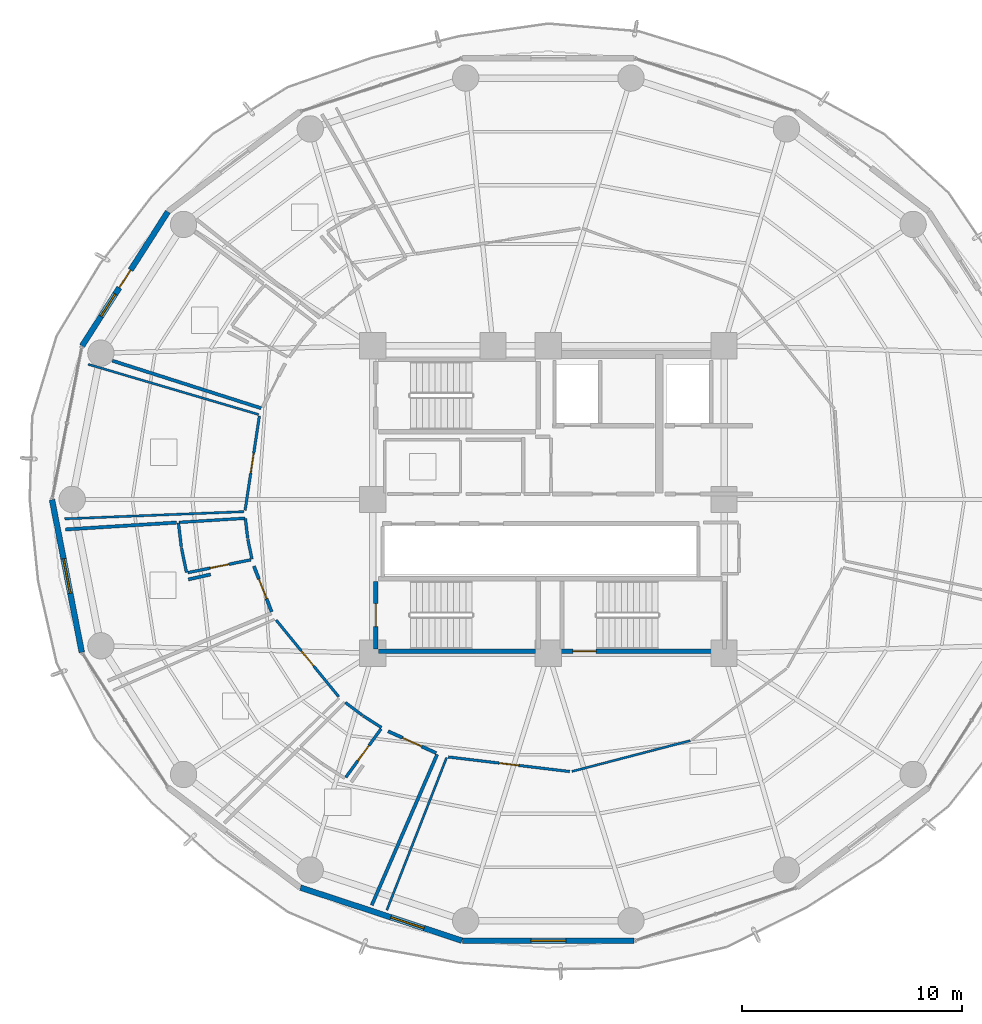
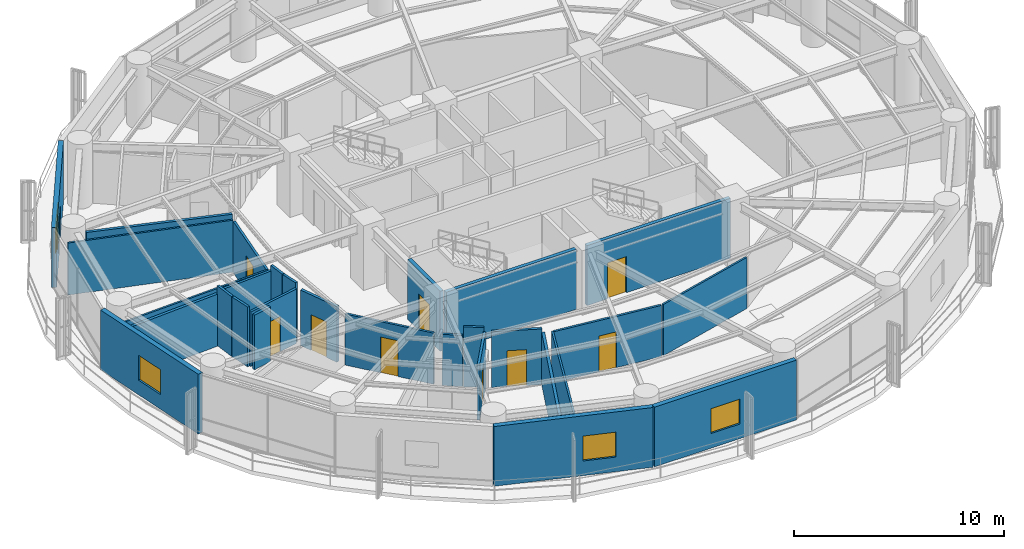
# One storey, part 21 of 27: 29 walls, 10 doors, 4 windows, 14 openings.
"""IFC4 building model written with IfcOpenShell, lengths in metres."""

from ifc_helpers import new_model, si_unit, direction, frame, frame_2d, origin, place, context, subcontext, project, spatial, rectangle, extrude, material, layer, layer_set, type_object, element, fill, save


model = new_model("IFC4")

# Units and contexts
model_context = context("Model", 3, precision=1e-05, world=origin(), true_north=direction((0.0, 1.0)))
body_context = subcontext(model_context, "Body", "Model", "MODEL_VIEW")
ifc_project = project(units=[si_unit("LENGTHUNIT", "METRE"), si_unit("AREAUNIT", "SQUARE_METRE"), si_unit("VOLUMEUNIT", "CUBIC_METRE"), si_unit("PLANEANGLEUNIT", "RADIAN"), si_unit("MASSUNIT", "GRAM", prefix="KILO")], contexts=[model_context])

# Site, building, storey
site_placement = place(None, origin())
site = spatial("IfcSite", under=ifc_project, at=site_placement, CompositionType="ELEMENT")
building_placement = place(site_placement, origin())
building = spatial("IfcBuilding", under=site, at=building_placement, Name="Kelanora Arch Commons", CompositionType="ELEMENT")
storey_placement = place(building_placement, frame((0.0, 0.0, 150.60009765625)))
storey = spatial("IfcBuildingStorey", under=building, at=storey_placement, Name="L38", CompositionType="ELEMENT", Elevation=150.60009765625)

# Wall, opening, door
ifc_material_1 = material(Name="Autoclaved aerated concrete blockwork with fire plaster", Category="masonry")
ifc_layer_1 = layer(ifc_material_1, 0.14990234375)
ifc_layer_set_1 = layer_set([ifc_layer_1], Name="Autoclaved aerated concrete blockwork with fire plaster")
wall_type_1 = type_object("IfcWallType", Name="W-COMP-150", PredefinedType="PARTITIONING", material=ifc_layer_set_1)
wall_1_placement = place(storey_placement, frame((60.5947265625, 54.964111328125, 0.0), z_axis=(0.0, 0.0, 1.0), x_axis=(0.361769005858, -0.932267765398, 0.0)))
wall_1 = element("IfcWall", 1, at=wall_1_placement, inside=storey, type_object=wall_type_1, Name="Co-Living Studio L38-04 Entry Partition", PredefinedType="PARTITIONING", context=body_context, shape_type="SweptSolid", body=[
    extrude(rectangle(XDim=2.22705078125, YDim=0.14990234375, at=frame_2d((1.113525390625, 0.0))), origin(), (0.0, 0.0, 1.0), 3.23486328125),
])
opening_1_placement = place(wall_1_placement, frame((0.638916015625, 0.0, 0.0)))
opening_1 = element("IfcOpeningElement", 2, at=opening_1_placement, cuts=wall_1, Name="Opening D-CLU1", PredefinedType="OPENING", context=body_context, shape_type="SweptSolid", body=[
    extrude(rectangle(XDim=0.949951171875, YDim=2.080078125, at=frame_2d((0.47509765625, 1.0400390625))), frame((0.0, 0.0849609375, 0.0), z_axis=(0.0, -1.0, 0.0), x_axis=(1.0, 0.0, 0.0)), (0.0, 0.0, 1.0), 0.169921875),
])
ifc_material_2 = material(Name="Solid-core acoustic timber cluster entry fire door", Category="wood")
door_type_1 = type_object("IfcDoorType", Name="D-CLU-95", OperationType="NOTDEFINED", PredefinedType="DOOR", material=ifc_material_2)
door_1_placement = place(opening_1_placement, origin())
door_1 = element("IfcDoor", 3, at=door_1_placement, inside=storey, type_object=door_type_1, Name="Co-Living Studio L38-04 Door", OperationType="SINGLE_SWING_RIGHT", OverallHeight=2.080078125, OverallWidth=0.949951171875, PredefinedType="DOOR", context=body_context, shape_type="SweptSolid", body=[
    extrude(rectangle(XDim=0.949951171875, YDim=2.080078125, at=frame_2d((0.47509765625, 1.0400390625))), frame((0.0, 0.02490234375, 0.0), z_axis=(0.0, -1.0, 0.0), x_axis=(1.0, 0.0, 0.0)), (0.0, 0.0, 1.0), 0.050048828125),
])
fill(opening_1, door_1)

wall_2_placement = place(storey_placement, frame((66.706787109375, 47.4453125, 0.0), z_axis=(0.0, 0.0, 1.0), x_axis=(0.910872904928, -0.412686989216, 0.0)))
wall_2 = element("IfcWall", 4, at=wall_2_placement, inside=storey, type_object=wall_type_1, Name="Co-Living Studio L38-06 Entry Partition", PredefinedType="PARTITIONING", context=body_context, shape_type="SweptSolid", body=[
    extrude(rectangle(XDim=2.4072265625, YDim=0.14990234375, at=frame_2d((1.20361328125, 0.0))), origin(), (0.0, 0.0, 1.0), 3.23486328125),
])
opening_2_placement = place(wall_2_placement, frame((0.72900390625, 0.0, 0.0)))
opening_2 = element("IfcOpeningElement", 5, at=opening_2_placement, cuts=wall_2, Name="Opening D-CLU1", PredefinedType="OPENING", context=body_context, shape_type="SweptSolid", body=[
    extrude(rectangle(XDim=0.949951171875, YDim=2.080078125, at=frame_2d((0.47509765625, 1.0400390625))), frame((0.0, 0.0849609375, 0.0), z_axis=(0.0, -1.0, 0.0), x_axis=(1.0, 0.0, 0.0)), (0.0, 0.0, 1.0), 0.169921875),
])
door_2_placement = place(opening_2_placement, origin())
door_2 = element("IfcDoor", 6, at=door_2_placement, inside=storey, type_object=door_type_1, Name="Co-Living Studio L38-06 Door", OperationType="SINGLE_SWING_LEFT", OverallHeight=2.080078125, OverallWidth=0.949951171875, PredefinedType="DOOR", context=body_context, shape_type="SweptSolid", body=[
    extrude(rectangle(XDim=0.949951171875, YDim=2.080078125, at=frame_2d((0.47509765625, 1.0400390625))), frame((0.0, 0.02490234375, 0.0), z_axis=(0.0, -1.0, 0.0), x_axis=(1.0, 0.0, 0.0)), (0.0, 0.0, 1.0), 0.050048828125),
])
fill(opening_2, door_2)

# Walls
wall_3_placement = place(storey_placement, frame((60.9228515625, 62.154296875, 0.0), z_axis=(0.0, 0.0, 1.0), x_axis=(-0.952653075659, 0.304059397878, 0.0)))
element("IfcWall", 7, at=wall_3_placement, inside=storey, type_object=wall_type_1, Name="Co-Living Studio L38-02 Enclosure Partition 2", PredefinedType="PARTITIONING", context=body_context, shape_type="SweptSolid", body=[
    extrude(rectangle(XDim=7.111572265625, YDim=0.14990234375, at=frame_2d((3.5556640625, 0.0))), origin(), (0.0, 0.0, 1.0), 3.1748046875),
])
wall_4_placement = place(storey_placement, frame((52.011962890625, 56.633544921875, 0.0), z_axis=(0.0, 0.0, 1.0), x_axis=(0.998071814667, 0.062069741162, 0.0)))
element("IfcWall", 8, at=wall_4_placement, inside=storey, type_object=wall_type_1, Name="Co-Living Studio L38-04 Enclosure Partition 5", PredefinedType="PARTITIONING", context=body_context, shape_type="SweptSolid", body=[
    extrude(rectangle(XDim=5.073974609375, YDim=0.14990234375, at=frame_2d((2.537109375, 0.0))), origin(), (0.0, 0.0, 1.0), 3.02490234375),
])
wall_5_placement = place(storey_placement, frame((57.60888671875, 54.358642578125, 0.0), z_axis=(0.0, 0.0, 1.0), x_axis=(0.97598825513, 0.217823152693, 0.0)))
element("IfcWall", 9, at=wall_5_placement, inside=storey, type_object=wall_type_1, Name="Co-Living Studio L38-04 Enclosure Partition 7", PredefinedType="PARTITIONING", context=body_context, shape_type="SweptSolid", body=[
    extrude(rectangle(XDim=1.04248046875, YDim=0.14990234375, at=frame_2d((0.521240234375, 0.0))), origin(), (0.0, 0.0, 1.0), 3.1748046875),
])
wall_6_placement = place(storey_placement, frame((68.93798828125, 46.390380859375, 0.0), z_axis=(0.0, 0.0, 1.0), x_axis=(-0.398074464123, -0.917353105959, 0.0)))
element("IfcWall", 10, at=wall_6_placement, inside=storey, type_object=wall_type_1, Name="Co-Living Studio L38-06 Enclosure Partition 2", PredefinedType="PARTITIONING", context=body_context, shape_type="SweptSolid", body=[
    extrude(rectangle(XDim=7.481201171875, YDim=0.14990234375, at=frame_2d((3.74072265625, 0.0))), origin(), (0.0, 0.0, 1.0), 3.02490234375),
])

# Wall, openings, door, window
ifc_material_3 = material(Name="Precast concrete C40/50 with terracotta rainscreen", Category="masonry")
ifc_layer_2 = layer(ifc_material_3, 0.260009765625)
ifc_layer_set_2 = layer_set([ifc_layer_2], Name="Precast concrete C40/50 with terracotta rainscreen")
wall_type_2 = type_object("IfcWallType", Name="W-EXT-TC", PredefinedType="SOLIDWALL", material=ifc_layer_set_2)
wall_7_placement = place(storey_placement, frame((56.67919921875, 71.100341796875, 0.0), z_axis=(0.0, 0.0, 1.0), x_axis=(-0.538801521808, -0.842432739213, 0.0)))
wall_7 = element("IfcWall", 11, at=wall_7_placement, inside=storey, type_object=wall_type_2, Name="Terracotta Exterior Wall L38-B07", PredefinedType="SOLIDWALL", context=body_context, shape_type="SweptSolid", body=[
    extrude(rectangle(XDim=7.25341796875, YDim=0.260009765625, at=frame_2d((3.626708984375, 0.0))), origin(), (0.0, 0.0, 1.0), 3.474853515625),
])
opening_3_placement = place(wall_7_placement, frame((3.152099609375, 0.0, 0.0)))
opening_3 = element("IfcOpeningElement", 12, at=opening_3_placement, cuts=wall_7, Name="Opening DB-01", PredefinedType="OPENING", context=body_context, shape_type="SweptSolid", body=[
    extrude(rectangle(XDim=0.949951171875, YDim=2.10009765625, at=frame_2d((0.47509765625, 1.050048828125))), frame((0.0, 0.14013671875, 0.0), z_axis=(0.0, -1.0, 0.0), x_axis=(1.0, 0.0, 0.0)), (0.0, 0.0, 1.0), 0.280029296875),
])
opening_4_placement = place(wall_7_placement, frame((4.451904296875, 0.0, 0.85009765625)))
opening_4 = element("IfcOpeningElement", 13, at=opening_4_placement, cuts=wall_7, Name="Opening WN-02", PredefinedType="OPENING", context=body_context, shape_type="SweptSolid", body=[
    extrude(rectangle(XDim=1.199951171875, YDim=1.449951171875, at=frame_2d((0.60009765625, 0.72509765625))), frame((0.0, 0.14013671875, 0.0), z_axis=(0.0, -1.0, 0.0), x_axis=(1.0, 0.0, 0.0)), (0.0, 0.0, 1.0), 0.280029296875),
])
ifc_material_4 = material(Name="Terracotta-aluminium thermally broken glazed balcony door", Category="masonry")
door_type_2 = type_object("IfcDoorType", Name="D-BAL-10", OperationType="NOTDEFINED", PredefinedType="DOOR", material=ifc_material_4)
door_3_placement = place(opening_3_placement, frame((0.949951171875, 0.0, 0.0), z_axis=(0.0, 0.0, 1.0), x_axis=(-1.0, 0.0, 0.0)))
door_3 = element("IfcDoor", 14, at=door_3_placement, inside=storey, type_object=door_type_2, Name="Wave Balcony Door L38-B07", OperationType="SINGLE_SWING_RIGHT", OverallHeight=2.10009765625, OverallWidth=0.949951171875, PredefinedType="DOOR", context=body_context, shape_type="SweptSolid", body=[
    extrude(rectangle(XDim=0.949951171875, YDim=2.10009765625, at=frame_2d((0.47509765625, 1.050048828125))), frame((0.0, 0.02490234375, 0.0), z_axis=(0.0, -1.0, 0.0), x_axis=(1.0, 0.0, 0.0)), (0.0, 0.0, 1.0), 0.050048828125),
])
fill(opening_3, door_3)
ifc_material_5 = material(Name="Terracotta-anodised aluminium frame with operable awning sash", Category="masonry")
window_type_1 = type_object("IfcWindowType", Name="WIN-CL-12", PartitioningType="SINGLE_PANEL", PredefinedType="WINDOW", material=ifc_material_5)
window_1_placement = place(opening_4_placement, origin())
window_1 = element("IfcWindow", 15, at=window_1_placement, inside=storey, type_object=window_type_1, Name="Co-Living Operable Window L38-B07", OverallHeight=1.449951171875, OverallWidth=1.199951171875, PartitioningType="SINGLE_PANEL", PredefinedType="WINDOW", context=body_context, shape_type="SweptSolid", body=[
    extrude(rectangle(XDim=1.199951171875, YDim=1.449951171875, at=frame_2d((0.60009765625, 0.72509765625))), frame((0.0, 0.030029296875, 0.0), z_axis=(0.0, -1.0, 0.0), x_axis=(1.0, 0.0, 0.0)), (0.0, 0.0, 1.0), 0.06005859375),
])
fill(opening_4, window_1)

# Wall, opening, window
wall_8_placement = place(storey_placement, frame((51.40283203125, 57.9853515625, 0.0), z_axis=(0.0, 0.0, 1.0), x_axis=(0.191716984769, -0.981450252306, 0.0)))
wall_8 = element("IfcWall", 16, at=wall_8_placement, inside=storey, type_object=wall_type_2, Name="Terracotta Exterior Wall L38-B09", PredefinedType="SOLIDWALL", context=body_context, shape_type="SweptSolid", body=[
    extrude(rectangle(XDim=7.0791015625, YDim=0.260009765625, at=frame_2d((3.53955078125, 0.0))), origin(), (0.0, 0.0, 1.0), 3.474853515625),
])
opening_5_placement = place(wall_8_placement, frame((2.739990234375, 0.0, 0.85009765625)))
opening_5 = element("IfcOpeningElement", 17, at=opening_5_placement, cuts=wall_8, Name="Opening WN-01", PredefinedType="OPENING", context=body_context, shape_type="SweptSolid", body=[
    extrude(rectangle(XDim=1.60009765625, YDim=1.449951171875, at=frame_2d((0.800048828125, 0.72509765625))), frame((0.0, 0.14013671875, 0.0), z_axis=(0.0, -1.0, 0.0), x_axis=(1.0, 0.0, 0.0)), (0.0, 0.0, 1.0), 0.280029296875),
])
ifc_material_6 = material(Name="Terracotta-anodised aluminium frame with operable low-E glazing", Category="masonry")
window_type_2 = type_object("IfcWindowType", Name="WIN-CL-18", PartitioningType="DOUBLE_PANEL_VERTICAL", PredefinedType="WINDOW", material=ifc_material_6)
window_2_placement = place(opening_5_placement, origin())
window_2 = element("IfcWindow", 18, at=window_2_placement, inside=storey, type_object=window_type_2, Name="Co-Living Operable Window L38-B09", OverallHeight=1.449951171875, OverallWidth=1.60009765625, PartitioningType="SINGLE_PANEL", PredefinedType="WINDOW", context=body_context, shape_type="SweptSolid", body=[
    extrude(rectangle(XDim=1.60009765625, YDim=1.449951171875, at=frame_2d((0.800048828125, 0.72509765625))), frame((0.0, 0.030029296875, 0.0), z_axis=(0.0, -1.0, 0.0), x_axis=(1.0, 0.0, 0.0)), (0.0, 0.0, 1.0), 0.06005859375),
])
fill(opening_5, window_2)

wall_9_placement = place(storey_placement, frame((62.71435546875, 40.328369140625, 0.0), z_axis=(0.0, 0.0, 1.0), x_axis=(0.950038302428, -0.312133343173, 0.0)))
wall_9 = element("IfcWall", 19, at=wall_9_placement, inside=storey, type_object=wall_type_2, Name="Terracotta Exterior Wall L38-B12", PredefinedType="SOLIDWALL", context=body_context, shape_type="SweptSolid", body=[
    extrude(rectangle(XDim=7.7333984375, YDim=0.260009765625, at=frame_2d((3.86669921875, 0.0))), origin(), (0.0, 0.0, 1.0), 3.474853515625),
])
opening_6_placement = place(wall_9_placement, frame((4.326904296875, 0.0, 0.85009765625)))
opening_6 = element("IfcOpeningElement", 20, at=opening_6_placement, cuts=wall_9, Name="Opening WN-01", PredefinedType="OPENING", context=body_context, shape_type="SweptSolid", body=[
    extrude(rectangle(XDim=1.60009765625, YDim=1.449951171875, at=frame_2d((0.800048828125, 0.72509765625))), frame((0.0, 0.14013671875, 0.0), z_axis=(0.0, -1.0, 0.0), x_axis=(1.0, 0.0, 0.0)), (0.0, 0.0, 1.0), 0.280029296875),
])
window_3_placement = place(opening_6_placement, origin())
window_3 = element("IfcWindow", 21, at=window_3_placement, inside=storey, type_object=window_type_2, Name="Co-Living Operable Window L38-B12", OverallHeight=1.449951171875, OverallWidth=1.60009765625, PartitioningType="SINGLE_PANEL", PredefinedType="WINDOW", context=body_context, shape_type="SweptSolid", body=[
    extrude(rectangle(XDim=1.60009765625, YDim=1.449951171875, at=frame_2d((0.800048828125, 0.72509765625))), frame((0.0, 0.030029296875, 0.0), z_axis=(0.0, -1.0, 0.0), x_axis=(1.0, 0.0, 0.0)), (0.0, 0.0, 1.0), 0.06005859375),
])
fill(opening_6, window_3)

wall_10_placement = place(storey_placement, frame((70.090576171875, 37.909912109375, 0.0), z_axis=(0.0, 0.0, 1.0), x_axis=(1.0, 0.0, 0.0)))
wall_10 = element("IfcWall", 22, at=wall_10_placement, inside=storey, type_object=wall_type_2, Name="Terracotta Exterior Wall L38-B13", PredefinedType="SOLIDWALL", context=body_context, shape_type="SweptSolid", body=[
    extrude(rectangle(XDim=7.81884765625, YDim=0.260009765625, at=frame_2d((3.909423828125, 0.0))), origin(), (0.0, 0.0, 1.0), 3.474853515625),
])
opening_7_placement = place(wall_10_placement, frame((3.10888671875, 0.0, 0.85009765625)))
opening_7 = element("IfcOpeningElement", 23, at=opening_7_placement, cuts=wall_10, Name="Opening WN-01", PredefinedType="OPENING", context=body_context, shape_type="SweptSolid", body=[
    extrude(rectangle(XDim=1.60009765625, YDim=1.449951171875, at=frame_2d((0.800048828125, 0.72509765625))), frame((0.0, 0.14013671875, 0.0), z_axis=(0.0, -1.0, 0.0), x_axis=(1.0, 0.0, 0.0)), (0.0, 0.0, 1.0), 0.280029296875),
])
window_4_placement = place(opening_7_placement, origin())
window_4 = element("IfcWindow", 24, at=window_4_placement, inside=storey, type_object=window_type_2, Name="Co-Living Operable Window L38-B13", OverallHeight=1.449951171875, OverallWidth=1.60009765625, PartitioningType="SINGLE_PANEL", PredefinedType="WINDOW", context=body_context, shape_type="SweptSolid", body=[
    extrude(rectangle(XDim=1.60009765625, YDim=1.449951171875, at=frame_2d((0.800048828125, 0.72509765625))), frame((0.0, 0.030029296875, 0.0), z_axis=(0.0, -1.0, 0.0), x_axis=(1.0, 0.0, 0.0)), (0.0, 0.0, 1.0), 0.06005859375),
])
fill(opening_7, window_4)

# Walls
ifc_material_7 = material(Name="Lightweight fire-rated acoustic stud partition")
ifc_layer_3 = layer(ifc_material_7, 0.10009765625)
ifc_layer_set_3 = layer_set([ifc_layer_3], Name="Lightweight fire-rated acoustic stud partition")
wall_type_3 = type_object("IfcWallType", Name="W-PART-100", PredefinedType="PARTITIONING", material=ifc_layer_set_3)
wall_11_placement = place(storey_placement, frame((75.069580078125, 45.614990234375, 0.0), z_axis=(0.0, 0.0, 1.0), x_axis=(0.967718115259, 0.252035016216, 0.0)))
element("IfcWall", 25, at=wall_11_placement, inside=storey, type_object=wall_type_3, Name="South-East Shared Study Commons L38 Enclosure Partition 2", PredefinedType="PARTITIONING", context=body_context, shape_type="SweptSolid", body=[
    extrude(rectangle(XDim=5.57470703125, YDim=0.10009765625, at=frame_2d((2.787353515625, 0.0))), origin(), (0.0, 0.0, 1.0), 2.974853515625),
])
wall_12_placement = place(storey_placement, frame((66.64453125, 39.297119140625, 0.0), z_axis=(0.0, 0.0, 1.0), x_axis=(0.364957999702, 0.931023983823, 0.0)))
element("IfcWall", 26, at=wall_12_placement, inside=storey, type_object=wall_type_3, Name="South-East Shared Study Commons L38 Enclosure Partition 10", PredefinedType="PARTITIONING", context=body_context, shape_type="SweptSolid", body=[
    extrude(rectangle(XDim=7.463623046875, YDim=0.10009765625, at=frame_2d((3.73193359375, 0.0))), origin(), (0.0, 0.0, 1.0), 3.02490234375),
])
wall_13_placement = place(storey_placement, frame((60.14404296875, 57.4453125, 0.0), z_axis=(0.0, 0.0, 1.0), x_axis=(-0.99919531507, -0.040108881097, 0.0)))
element("IfcWall", 27, at=wall_13_placement, inside=storey, type_object=wall_type_3, Name="Communal Dining and Social Hall L38-03 Enclosure Partition 2", PredefinedType="PARTITIONING", context=body_context, shape_type="SweptSolid", body=[
    extrude(rectangle(XDim=8.168701171875, YDim=0.10009765625, at=frame_2d((4.08447265625, 0.0))), origin(), (0.0, 0.0, 1.0), 3.02490234375),
])
wall_14_placement = place(storey_placement, frame((53.04736328125, 64.15380859375, 0.0), z_axis=(0.0, 0.0, 1.0), x_axis=(0.959252584651, -0.282549958133, 0.0)))
element("IfcWall", 28, at=wall_14_placement, inside=storey, type_object=wall_type_3, Name="Communal Dining and Social Hall L38-03 Enclosure Partition 4", PredefinedType="PARTITIONING", context=body_context, shape_type="SweptSolid", body=[
    extrude(rectangle(XDim=8.09619140625, YDim=0.10009765625, at=frame_2d((4.048095703125, 0.0))), origin(), (0.0, 0.0, 1.0), 3.02490234375),
])

# Wall, opening, door
ifc_material_8 = material(Name="Acoustic twin-stud fire-rated gypsum partition")
ifc_layer_4 = layer(ifc_material_8, 0.1201171875)
ifc_layer_set_4 = layer_set([ifc_layer_4], Name="Acoustic twin-stud fire-rated gypsum partition")
wall_type_4 = type_object("IfcWallType", Name="W-PART-120", PredefinedType="PARTITIONING", material=ifc_layer_set_4)
wall_15_placement = place(storey_placement, frame((69.442626953125, 46.27587890625, 0.0), z_axis=(0.0, 0.0, 1.0), x_axis=(0.992874348748, -0.119165966612, 0.0)))
wall_15 = element("IfcWall", 29, at=wall_15_placement, inside=storey, type_object=wall_type_4, Name="South-East Shared Study Commons L38 Entry Partition", PredefinedType="PARTITIONING", context=body_context, shape_type="SweptSolid", body=[
    extrude(rectangle(XDim=5.568603515625, YDim=0.1201171875, at=frame_2d((2.7841796875, 0.0))), origin(), (0.0, 0.0, 1.0), 2.974853515625),
])
opening_8_placement = place(wall_15_placement, frame((2.333984375, 0.0, 0.0)))
opening_8 = element("IfcOpeningElement", 30, at=opening_8_placement, cuts=wall_15, Name="Opening D-RM1", PredefinedType="OPENING", context=body_context, shape_type="SweptSolid", body=[
    extrude(rectangle(XDim=0.89990234375, YDim=2.080078125, at=frame_2d((0.449951171875, 1.0400390625))), frame((0.0, 0.070068359375, 0.0), z_axis=(0.0, -1.0, 0.0), x_axis=(1.0, 0.0, 0.0)), (0.0, 0.0, 1.0), 0.14013671875),
])
ifc_material_9 = material(Name="Acoustic fire-rated timber study and lounge door", Category="wood")
door_type_3 = type_object("IfcDoorType", Name="D-ROOM-90", OperationType="NOTDEFINED", PredefinedType="DOOR", material=ifc_material_9)
door_4_placement = place(opening_8_placement, origin())
door_4 = element("IfcDoor", 31, at=door_4_placement, inside=storey, type_object=door_type_3, Name="South-East Shared Study Commons L38 Door", OperationType="SINGLE_SWING_RIGHT", OverallHeight=2.080078125, OverallWidth=0.89990234375, PredefinedType="DOOR", context=body_context, shape_type="SweptSolid", body=[
    extrude(rectangle(XDim=0.89990234375, YDim=2.080078125, at=frame_2d((0.449951171875, 1.0400390625))), frame((0.0, 0.02490234375, 0.0), z_axis=(0.0, -1.0, 0.0), x_axis=(1.0, 0.0, 0.0)), (0.0, 0.0, 1.0), 0.050048828125),
])
fill(opening_8, door_4)

wall_16_placement = place(storey_placement, frame((60.843017578125, 61.795654296875, 0.0), z_axis=(0.0, 0.0, 1.0), x_axis=(-0.149807046494, -0.988715251638, 0.0)))
wall_16 = element("IfcWall", 32, at=wall_16_placement, inside=storey, type_object=wall_type_4, Name="Communal Dining and Social Hall L38-03 Entry Partition", PredefinedType="PARTITIONING", context=body_context, shape_type="SweptSolid", body=[
    extrude(rectangle(XDim=4.33837890625, YDim=0.1201171875, at=frame_2d((2.169189453125, 0.0))), origin(), (0.0, 0.0, 1.0), 2.974853515625),
])
opening_9_placement = place(wall_16_placement, frame((1.718994140625, 0.0, 0.0)))
opening_9 = element("IfcOpeningElement", 33, at=opening_9_placement, cuts=wall_16, Name="Opening D-RM1", PredefinedType="OPENING", context=body_context, shape_type="SweptSolid", body=[
    extrude(rectangle(XDim=0.89990234375, YDim=2.080078125, at=frame_2d((0.449951171875, 1.0400390625))), frame((0.0, 0.070068359375, 0.0), z_axis=(0.0, -1.0, 0.0), x_axis=(1.0, 0.0, 0.0)), (0.0, 0.0, 1.0), 0.14013671875),
])
door_5_placement = place(opening_9_placement, origin())
door_5 = element("IfcDoor", 34, at=door_5_placement, inside=storey, type_object=door_type_3, Name="Communal Dining and Social Hall L38-03 Door", OperationType="SINGLE_SWING_RIGHT", OverallHeight=2.080078125, OverallWidth=0.89990234375, PredefinedType="DOOR", context=body_context, shape_type="SweptSolid", body=[
    extrude(rectangle(XDim=0.89990234375, YDim=2.080078125, at=frame_2d((0.449951171875, 1.0400390625))), frame((0.0, 0.02490234375, 0.0), z_axis=(0.0, -1.0, 0.0), x_axis=(1.0, 0.0, 0.0)), (0.0, 0.0, 1.0), 0.050048828125),
])
fill(opening_9, door_5)

wall_17_placement = place(storey_placement, frame((61.60400390625, 52.511474609375, 0.0), z_axis=(0.0, 0.0, 1.0), x_axis=(0.632491819148, -0.77456703952, 0.0)))
wall_17 = element("IfcWall", 35, at=wall_17_placement, inside=storey, type_object=wall_type_4, Name="Social Sky Lounge L38-05 Entry Partition", PredefinedType="PARTITIONING", context=body_context, shape_type="SweptSolid", body=[
    extrude(rectangle(XDim=4.5107421875, YDim=0.1201171875, at=frame_2d((2.25537109375, 0.0))), origin(), (0.0, 0.0, 1.0), 2.974853515625),
])
opening_10_placement = place(wall_17_placement, frame((1.804931640625, 0.0, 0.0)))
opening_10 = element("IfcOpeningElement", 36, at=opening_10_placement, cuts=wall_17, Name="Opening D-RM1", PredefinedType="OPENING", context=body_context, shape_type="SweptSolid", body=[
    extrude(rectangle(XDim=0.89990234375, YDim=2.080078125, at=frame_2d((0.449951171875, 1.0400390625))), frame((0.0, 0.070068359375, 0.0), z_axis=(0.0, -1.0, 0.0), x_axis=(1.0, 0.0, 0.0)), (0.0, 0.0, 1.0), 0.14013671875),
])
door_6_placement = place(opening_10_placement, origin())
door_6 = element("IfcDoor", 37, at=door_6_placement, inside=storey, type_object=door_type_3, Name="Social Sky Lounge L38-05 Door", OperationType="SINGLE_SWING_LEFT", OverallHeight=2.080078125, OverallWidth=0.89990234375, PredefinedType="DOOR", context=body_context, shape_type="SweptSolid", body=[
    extrude(rectangle(XDim=0.89990234375, YDim=2.080078125, at=frame_2d((0.449951171875, 1.0400390625))), frame((0.0, 0.02490234375, 0.0), z_axis=(0.0, -1.0, 0.0), x_axis=(1.0, 0.0, 0.0)), (0.0, 0.0, 1.0), 0.050048828125),
])
fill(opening_10, door_6)

ifc_material_10 = material(Name="Concrete C40/50", Category="concrete")
ifc_layer_5 = layer(ifc_material_10, 0.199951171875)
ifc_layer_set_5 = layer_set([ifc_layer_5], Name="Concrete C40/50")
wall_type_5 = type_object("IfcWallType", Name="W-STAIR-200", PredefinedType="SHEAR", material=ifc_layer_set_5)
wall_18_placement = place(storey_placement, frame((74.0, 51.080078125, 0.0), z_axis=(0.0, 0.0, 1.0), x_axis=(1.0, 0.0, 0.0)))
wall_18 = element("IfcWall", 38, at=wall_18_placement, inside=storey, type_object=wall_type_5, Name="Stair ST-T2 Shaft Wall S L38", PredefinedType="SHEAR", context=body_context, shape_type="SweptSolid", body=[
    extrude(rectangle(XDim=7.89990234375, YDim=0.199951171875, at=frame_2d((3.949951171875, 0.0))), origin(), (0.0, 0.0, 1.0), 3.489990234375),
])
opening_11_placement = place(wall_18_placement, frame((1.1201171875, 0.0, 0.0)))
opening_11 = element("IfcOpeningElement", 39, at=opening_11_placement, cuts=wall_18, Name="Opening D-ST1", PredefinedType="OPENING", context=body_context, shape_type="SweptSolid", body=[
    extrude(rectangle(XDim=1.050048828125, YDim=2.10009765625, at=frame_2d((0.52490234375, 1.050048828125))), frame((0.0, 0.10986328125, 0.0), z_axis=(0.0, -1.0, 0.0), x_axis=(1.0, 0.0, 0.0)), (0.0, 0.0, 1.0), 0.219970703125),
])
ifc_material_11 = material(Name="Steel fire-rated stairwell escape door", Category="steel")
door_type_4 = type_object("IfcDoorType", Name="D-STAIR-110", OperationType="NOTDEFINED", PredefinedType="DOOR", material=ifc_material_11)
door_7_placement = place(opening_11_placement, origin())
door_7 = element("IfcDoor", 40, at=door_7_placement, inside=storey, type_object=door_type_4, Name="Stair ST-T2 Escape Door L38", OperationType="SINGLE_SWING_LEFT", OverallHeight=2.10009765625, OverallWidth=1.050048828125, PredefinedType="DOOR", context=body_context, shape_type="SweptSolid", body=[
    extrude(rectangle(XDim=1.050048828125, YDim=2.10009765625, at=frame_2d((0.52490234375, 1.050048828125))), frame((0.0, 0.02490234375, 0.0), z_axis=(0.0, -1.0, 0.0), x_axis=(1.0, 0.0, 0.0)), (0.0, 0.0, 1.0), 0.050048828125),
])
fill(opening_11, door_7)

# Wall
wall_19_placement = place(storey_placement, frame((66.260009765625, 51.080078125, 0.0), z_axis=(0.0, 0.0, 1.0), x_axis=(1.0, 0.0, 0.0)))
element("IfcWall", 41, at=wall_19_placement, inside=storey, type_object=wall_type_5, Name="Stair ST-T3 Shaft Wall S L38", PredefinedType="SHEAR", context=body_context, shape_type="SweptSolid", body=[
    extrude(rectangle(XDim=7.159912109375, YDim=0.199951171875, at=frame_2d((3.580078125, 0.0))), origin(), (0.0, 0.0, 1.0), 3.489990234375),
])

# Wall, opening, door
wall_20_placement = place(storey_placement, frame((66.139892578125, 54.27001953125, 0.0), z_axis=(0.0, 0.0, 1.0), x_axis=(0.0, -1.0, 0.0)))
wall_20 = element("IfcWall", 42, at=wall_20_placement, inside=storey, type_object=wall_type_5, Name="Stair ST-T3 Shaft Wall W L38", PredefinedType="SHEAR", context=body_context, shape_type="SweptSolid", body=[
    extrude(rectangle(XDim=3.070068359375, YDim=0.199951171875, at=frame_2d((1.53515625, 0.0))), origin(), (0.0, 0.0, 1.0), 3.489990234375),
])
opening_12_placement = place(wall_20_placement, frame((1.010009765625, 0.0, 0.0)))
opening_12 = element("IfcOpeningElement", 43, at=opening_12_placement, cuts=wall_20, Name="Opening D-ST1", PredefinedType="OPENING", context=body_context, shape_type="SweptSolid", body=[
    extrude(rectangle(XDim=1.050048828125, YDim=2.10009765625, at=frame_2d((0.52490234375, 1.050048828125))), frame((0.0, 0.10986328125, 0.0), z_axis=(0.0, -1.0, 0.0), x_axis=(1.0, 0.0, 0.0)), (0.0, 0.0, 1.0), 0.219970703125),
])
door_8_placement = place(opening_12_placement, origin())
door_8 = element("IfcDoor", 44, at=door_8_placement, inside=storey, type_object=door_type_4, Name="Stair ST-T3 Escape Door L38", OperationType="SINGLE_SWING_LEFT", OverallHeight=2.10009765625, OverallWidth=1.050048828125, PredefinedType="DOOR", context=body_context, shape_type="SweptSolid", body=[
    extrude(rectangle(XDim=1.050048828125, YDim=2.10009765625, at=frame_2d((0.52490234375, 1.050048828125))), frame((0.0, 0.02490234375, 0.0), z_axis=(0.0, -1.0, 0.0), x_axis=(1.0, 0.0, 0.0)), (0.0, 0.0, 1.0), 0.050048828125),
])
fill(opening_12, door_8)

ifc_material_12 = material(Name="Moisture-resistant fire-rated cement-board plumbing wall")
ifc_layer_6 = layer(ifc_material_12, 0.1298828125)
ifc_layer_set_6 = layer_set([ifc_layer_6], Name="Moisture-resistant fire-rated cement-board plumbing wall")
wall_type_6 = type_object("IfcWallType", Name="W-WET-120", PredefinedType="PLUMBINGWALL", material=ifc_layer_set_6)
wall_21_placement = place(storey_placement, frame((60.4501953125, 55.2509765625, 0.0), z_axis=(0.0, 0.0, 1.0), x_axis=(-0.979866857251, -0.199652052484, 0.0)))
wall_21 = element("IfcWall", 45, at=wall_21_placement, inside=storey, type_object=wall_type_6, Name="En-Suite Shower WC L38-04 Entry Partition", PredefinedType="PLUMBINGWALL", context=body_context, shape_type="SweptSolid", body=[
    extrude(rectangle(XDim=2.920166015625, YDim=0.1298828125, at=frame_2d((1.4599609375, 0.0))), origin(), (0.0, 0.0, 1.0), 3.1748046875),
])
opening_13_placement = place(wall_21_placement, frame((1.030029296875, 0.0, 0.0)))
opening_13 = element("IfcOpeningElement", 46, at=opening_13_placement, cuts=wall_21, Name="Opening D-BT1", PredefinedType="OPENING", context=body_context, shape_type="SweptSolid", body=[
    extrude(rectangle(XDim=0.860107421875, YDim=2.050048828125, at=frame_2d((0.43017578125, 1.02490234375))), frame((0.0, 0.074951171875, 0.0), z_axis=(0.0, -1.0, 0.0), x_axis=(1.0, 0.0, 0.0)), (0.0, 0.0, 1.0), 0.14990234375),
])
ifc_material_13 = material(Name="Moisture-sealed fire-rated accessible bathroom door")
door_type_5 = type_object("IfcDoorType", Name="D-BATH-85", OperationType="NOTDEFINED", PredefinedType="DOOR", material=ifc_material_13)
door_9_placement = place(opening_13_placement, origin())
door_9 = element("IfcDoor", 47, at=door_9_placement, inside=storey, type_object=door_type_5, Name="En-Suite Shower WC L38-04 Door", OperationType="SINGLE_SWING_LEFT", OverallHeight=2.050048828125, OverallWidth=0.860107421875, PredefinedType="DOOR", context=body_context, shape_type="SweptSolid", body=[
    extrude(rectangle(XDim=0.860107421875, YDim=2.050048828125, at=frame_2d((0.43017578125, 1.02490234375))), frame((0.0, 0.02490234375, 0.0), z_axis=(0.0, -1.0, 0.0), x_axis=(1.0, 0.0, 0.0)), (0.0, 0.0, 1.0), 0.050048828125),
])
fill(opening_13, door_9)

wall_22_placement = place(storey_placement, frame((66.3828125, 47.555419921875, 0.0), z_axis=(0.0, 0.0, 1.0), x_axis=(-0.588001344837, -0.808859949849, 0.0)))
wall_22 = element("IfcWall", 48, at=wall_22_placement, inside=storey, type_object=wall_type_6, Name="En-Suite Shower WC L38-06 Entry Partition", PredefinedType="PLUMBINGWALL", context=body_context, shape_type="SweptSolid", body=[
    extrude(rectangle(XDim=2.72705078125, YDim=0.1298828125, at=frame_2d((1.363525390625, 0.0))), origin(), (0.0, 0.0, 1.0), 3.23486328125),
])
opening_14_placement = place(wall_22_placement, frame((0.93408203125, 0.0, 0.0)))
opening_14 = element("IfcOpeningElement", 49, at=opening_14_placement, cuts=wall_22, Name="Opening D-BT1", PredefinedType="OPENING", context=body_context, shape_type="SweptSolid", body=[
    extrude(rectangle(XDim=0.860107421875, YDim=2.050048828125, at=frame_2d((0.43017578125, 1.02490234375))), frame((0.0, 0.074951171875, 0.0), z_axis=(0.0, -1.0, 0.0), x_axis=(1.0, 0.0, 0.0)), (0.0, 0.0, 1.0), 0.14990234375),
])
door_10_placement = place(opening_14_placement, origin())
door_10 = element("IfcDoor", 50, at=door_10_placement, inside=storey, type_object=door_type_5, Name="En-Suite Shower WC L38-06 Door", OperationType="SINGLE_SWING_RIGHT", OverallHeight=2.050048828125, OverallWidth=0.860107421875, PredefinedType="DOOR", context=body_context, shape_type="SweptSolid", body=[
    extrude(rectangle(XDim=0.860107421875, YDim=2.050048828125, at=frame_2d((0.43017578125, 1.02490234375))), frame((0.0, 0.02490234375, 0.0), z_axis=(0.0, -1.0, 0.0), x_axis=(1.0, 0.0, 0.0)), (0.0, 0.0, 1.0), 0.050048828125),
])
fill(opening_14, door_10)

# Walls
wall_23_placement = place(storey_placement, frame((60.205322265625, 57.1240234375, 0.0), z_axis=(0.0, 0.0, 1.0), x_axis=(0.118797046487, -0.992918557459, 0.0)))
element("IfcWall", 51, at=wall_23_placement, inside=storey, type_object=wall_type_6, Name="En-Suite Shower WC L38-04 Enclosure Partition 1", PredefinedType="PLUMBINGWALL", context=body_context, shape_type="SweptSolid", body=[
    extrude(rectangle(XDim=0.912353515625, YDim=0.1298828125, at=frame_2d((0.4560546875, 0.0))), origin(), (0.0, 0.0, 1.0), 3.47998046875),
])
wall_24_placement = place(storey_placement, frame((60.320068359375, 56.178466796875, 0.0), z_axis=(0.0, 0.0, 1.0), x_axis=(0.202067144879, -0.979371670491, 0.0)))
element("IfcWall", 52, at=wall_24_placement, inside=storey, type_object=wall_type_6, Name="En-Suite Shower WC L38-04 Enclosure Partition 2", PredefinedType="PLUMBINGWALL", context=body_context, shape_type="SweptSolid", body=[
    extrude(rectangle(XDim=0.91455078125, YDim=0.1298828125, at=frame_2d((0.457275390625, 0.0))), origin(), (0.0, 0.0, 1.0), 3.47998046875),
])
wall_25_placement = place(storey_placement, frame((57.52587890625, 54.675537109375, 0.0), z_axis=(0.0, 0.0, 1.0), x_axis=(-0.202111317069, 0.979362555703, 0.0)))
element("IfcWall", 53, at=wall_25_placement, inside=storey, type_object=wall_type_6, Name="En-Suite Shower WC L38-04 Enclosure Partition 4", PredefinedType="PLUMBINGWALL", context=body_context, shape_type="SweptSolid", body=[
    extrude(rectangle(XDim=1.126953125, YDim=0.1298828125, at=frame_2d((0.5634765625, 0.0))), origin(), (0.0, 0.0, 1.0), 3.47998046875),
])
wall_26_placement = place(storey_placement, frame((57.29150390625, 55.81884765625, 0.0), z_axis=(0.0, 0.0, 1.0), x_axis=(-0.11846804652, 0.992957865145, 0.0)))
element("IfcWall", 54, at=wall_26_placement, inside=storey, type_object=wall_type_6, Name="En-Suite Shower WC L38-04 Enclosure Partition 5", PredefinedType="PLUMBINGWALL", context=body_context, shape_type="SweptSolid", body=[
    extrude(rectangle(XDim=1.123046875, YDim=0.1298828125, at=frame_2d((0.5615234375, 0.0))), origin(), (0.0, 0.0, 1.0), 3.47998046875),
])
wall_27_placement = place(storey_placement, frame((57.176025390625, 56.955078125, 0.0), z_axis=(0.0, 0.0, 1.0), x_axis=(0.998056675164, 0.062312704652, 0.0)))
element("IfcWall", 55, at=wall_27_placement, inside=storey, type_object=wall_type_6, Name="En-Suite Shower WC L38-04 Enclosure Partition 6", PredefinedType="PLUMBINGWALL", context=body_context, shape_type="SweptSolid", body=[
    extrude(rectangle(XDim=3.012939453125, YDim=0.1298828125, at=frame_2d((1.50634765625, 0.0))), origin(), (0.0, 0.0, 1.0), 3.1748046875),
])
wall_28_placement = place(storey_placement, frame((64.759033203125, 48.7529296875, 0.0), z_axis=(0.0, 0.0, 1.0), x_axis=(0.800390142897, -0.599479456824, 0.0)))
element("IfcWall", 56, at=wall_28_placement, inside=storey, type_object=wall_type_6, Name="En-Suite Shower WC L38-06 Enclosure Partition 1", PredefinedType="PLUMBINGWALL", context=body_context, shape_type="SweptSolid", body=[
    extrude(rectangle(XDim=0.975830078125, YDim=0.1298828125, at=frame_2d((0.48779296875, 0.0))), origin(), (0.0, 0.0, 1.0), 2.974853515625),
])
wall_29_placement = place(storey_placement, frame((65.57275390625, 48.145263671875, 0.0), z_axis=(0.0, 0.0, 1.0), x_axis=(0.842104586495, -0.539314254776, 0.0)))
element("IfcWall", 57, at=wall_29_placement, inside=storey, type_object=wall_type_6, Name="En-Suite Shower WC L38-06 Enclosure Partition 2", PredefinedType="PLUMBINGWALL", context=body_context, shape_type="SweptSolid", body=[
    extrude(rectangle(XDim=0.983642578125, YDim=0.1298828125, at=frame_2d((0.49169921875, 0.0))), origin(), (0.0, 0.0, 1.0), 3.47998046875),
])

save(model, "model.ifc")
